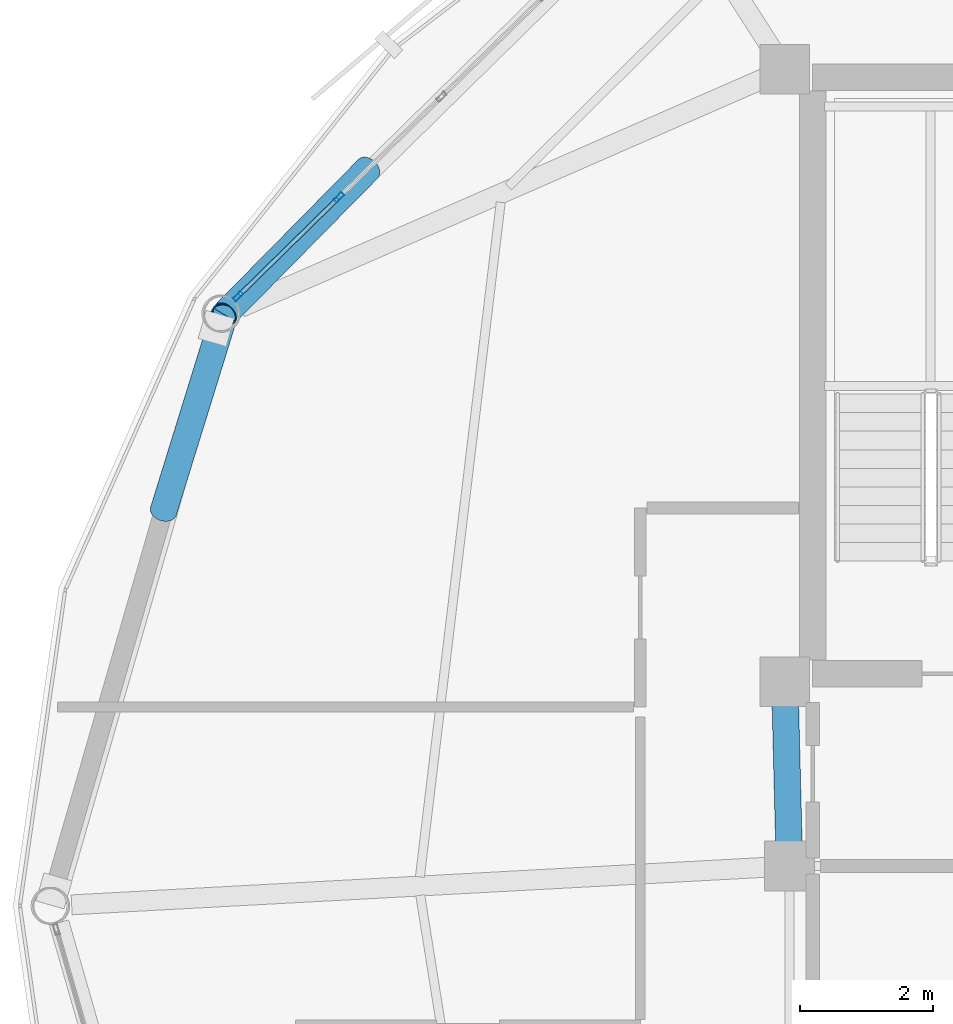
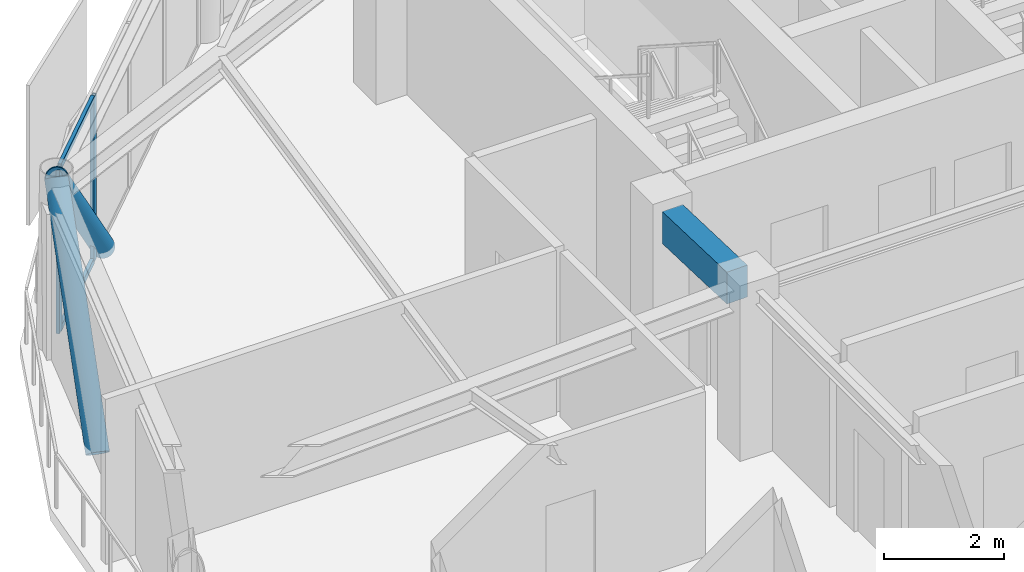
# One storey, part 12 of 26: 6 members, 1 beam, 1 element without a shape of its own.
"""IFC4 building model written with IfcOpenShell, lengths in metres."""

from ifc_helpers import new_model, si_unit, direction, frame, origin, origin_2d, place, context, subcontext, project, spatial, rectangle, hollow_rectangle, hollow_circle, extrude, material, layer, layer_set, material_profile, profile_set, type_object, element, aggregate, save


model = new_model("IFC4")

# Units and contexts
model_context = context("Model", 3, precision=1e-05, world=origin(), true_north=direction((0.0, 1.0)))
body_context = subcontext(model_context, "Body", "Model", "MODEL_VIEW")
ifc_project = project(units=[si_unit("LENGTHUNIT", "METRE"), si_unit("AREAUNIT", "SQUARE_METRE"), si_unit("VOLUMEUNIT", "CUBIC_METRE"), si_unit("PLANEANGLEUNIT", "RADIAN"), si_unit("MASSUNIT", "GRAM", prefix="KILO")], contexts=[model_context])

# Site, building, storey
site_placement = place(None, origin())
site = spatial("IfcSite", under=ifc_project, at=site_placement, CompositionType="ELEMENT")
building_placement = place(site_placement, origin())
building = spatial("IfcBuilding", under=site, at=building_placement, Name="Varnakorn Sky Granary", CompositionType="ELEMENT")
storey_placement = place(building_placement, frame((0.0, 0.0, 256.199951171875)))
storey = spatial("IfcBuildingStorey", under=building, at=storey_placement, Name="L65", CompositionType="ELEMENT", Elevation=256.199951171875)

# Beam
ifc_material_1 = material(Name="Concrete C50/60", Category="concrete")
ifc_material_profile_1 = material_profile(ifc_material_1, rectangle(XDim=0.39990234375, YDim=0.64990234375, at=origin_2d()), Name="RC 400x650")
ifc_profile_set_1 = profile_set([ifc_material_profile_1], Name="Concrete C50/60")
beam_type = type_object("IfcBeamType", Name="BM-LIN-650", PredefinedType="LINTEL", material=ifc_profile_set_1)
beam_placement = place(storey_placement, frame((-2.4111328125, 3.025146484375, 3.03515625), z_axis=(0.025227817192, -0.999681727971, 0.0), x_axis=(0.999681727971, 0.025227817192, 0.0)))
element("IfcBeam", 1, at=beam_placement, inside=storey, type_object=beam_type, Name="Core Spine Framing Beam 1 L65", PredefinedType="LINTEL", context=body_context, shape_type="SweptSolid", body=[
    extrude(rectangle(XDim=0.39990234375, YDim=0.64990234375, at=origin_2d()), origin(), (0.0, 0.0, 1.0), 2.071044921875),
])

# Curtain wall, members
ifc_material_2 = material(Name="Anodised Bronze Aluminium Alloy 6063-T6", Category="aluminium")
ifc_layer = layer(ifc_material_2, 0.159912109375, Name="Anodised Bronze Aluminium Alloy 6063-T6")
ifc_layer_set = layer_set([ifc_layer], Name="Anodised Bronze Aluminium Alloy 6063-T6")
curtain_wall_type = type_object("IfcCurtainWallType", Name="CW-OFF-1", PredefinedType="USERDEFINED", material=ifc_layer_set)
curtain_wall_placement = place(storey_placement, origin())
curtain_wall = element("IfcCurtainWall", 2, at=curtain_wall_placement, inside=storey, type_object=curtain_wall_type, Name="Unitised Curtain Wall CW6 CW-L65-B05", ObjectType="CURTAIN WALL", PredefinedType="USERDEFINED")
ifc_material_profile_2 = material_profile(ifc_material_2, hollow_rectangle(XDim=0.06494140625, YDim=0.159912109375, WallThickness=0.00341796875, at=origin_2d()), Name="ALU MULL 65x160")
ifc_profile_set_2 = profile_set([ifc_material_profile_2], Name="Anodised Bronze Aluminium Alloy 6063-T6")
member_type_1 = type_object("IfcMemberType", Name="CW-OFF-1-MULL", PredefinedType="MULLION", material=ifc_profile_set_2)
member_1_placement = place(storey_placement, frame((-10.667724609375, 9.195556640625, 0.0), z_axis=(0.0, 0.0, 1.0), x_axis=(-0.700118147913, 0.71402701557, 0.0)))
member_1 = element("IfcMember", 3, at=member_1_placement, type_object=member_type_1, Name="CW6 mullion 1", PredefinedType="MULLION", context=body_context, shape_type="SweptSolid", body=[
    extrude(hollow_rectangle(XDim=0.06494140625, YDim=0.159912109375, WallThickness=0.00341796875, at=origin_2d()), origin(), (0.0, 0.0, 1.0), 3.360107421875),
])
member_2_placement = place(storey_placement, frame((-9.144287109375, 10.68896484375, 0.0), z_axis=(0.0, 0.0, 1.0), x_axis=(-0.700118147913, 0.71402701557, 0.0)))
member_2 = element("IfcMember", 4, at=member_2_placement, type_object=member_type_1, Name="CW6 mullion 2", PredefinedType="MULLION", context=body_context, shape_type="SweptSolid", body=[
    extrude(hollow_rectangle(XDim=0.06494140625, YDim=0.159912109375, WallThickness=0.00341796875, at=origin_2d()), origin(), (0.0, 0.0, 1.0), 3.360107421875),
])
ifc_material_profile_3 = material_profile(ifc_material_2, hollow_rectangle(XDim=0.06494140625, YDim=0.1201171875, WallThickness=0.00341796875, at=origin_2d()), Name="ALU TRAN 65x120")
ifc_profile_set_3 = profile_set([ifc_material_profile_3], Name="Anodised Bronze Aluminium Alloy 6063-T6")
member_type_2 = type_object("IfcMemberType", Name="CW-OFF-1-TRAN", PredefinedType="USERDEFINED", material=ifc_profile_set_3)
member_3_placement = place(storey_placement, frame((-10.64453125, 9.21826171875, 0.032470703125), z_axis=(0.714036969685, 0.7001079959, 0.0), x_axis=(-0.7001079959, 0.714036969685, 0.0)))
member_3 = element("IfcMember", 5, at=member_3_placement, type_object=member_type_2, Name="CW6 transom 1.1", ObjectType="TRANSOM", PredefinedType="USERDEFINED", context=body_context, shape_type="SweptSolid", body=[
    extrude(hollow_rectangle(XDim=0.06494140625, YDim=0.1201171875, WallThickness=0.00341796875, at=origin_2d()), origin(), (0.0, 0.0, 1.0), 2.068359375),
])
member_4_placement = place(storey_placement, frame((-10.64453125, 9.21826171875, 3.32763671875), z_axis=(0.714036969685, 0.7001079959, 0.0), x_axis=(-0.7001079959, 0.714036969685, 0.0)))
member_4 = element("IfcMember", 6, at=member_4_placement, type_object=member_type_2, Name="CW6 transom 1.2", ObjectType="TRANSOM", PredefinedType="USERDEFINED", context=body_context, shape_type="SweptSolid", body=[
    extrude(hollow_rectangle(XDim=0.06494140625, YDim=0.1201171875, WallThickness=0.00341796875, at=origin_2d()), origin(), (0.0, 0.0, 1.0), 2.068359375),
])
aggregate(curtain_wall, [member_1, member_2, member_3, member_4])

# Members
ifc_material_3 = material(Name="Steel S460M", Category="steel")
ifc_material_profile_4 = material_profile(ifc_material_3, hollow_circle(Radius=0.203125, WallThickness=0.01611328125, at=origin_2d()), Name="CHS 406.4x16")
ifc_profile_set_4 = profile_set([ifc_material_profile_4], Name="Steel S460M")
member_type_3 = type_object("IfcMemberType", Name="MB-DIAG-T4", PredefinedType="BRACE", material=ifc_profile_set_4)
member_5_placement = place(storey_placement, frame((-8.709716796875, 11.115234375, -0.1298828125), z_axis=(-0.464775779747, -0.471747154361, 0.749291730177), x_axis=(0.712350671031, -0.701823711114, 0.0)))
element("IfcMember", 7, at=member_5_placement, inside=storey, type_object=member_type_3, Name="Perimeter CHS Diagrid Brace DG05 L65", PredefinedType="BRACE", context=body_context, shape_type="SweptSolid", body=[
    extrude(hollow_circle(Radius=0.203125, WallThickness=0.01611328125, at=origin_2d()), origin(), (0.0, 0.0, 1.0), 4.65771484375),
])
member_6_placement = place(storey_placement, frame((-11.792236328125, 5.956787109375, -0.1298828125), z_axis=(0.196596291847, 0.634348609687, 0.747630750719), x_axis=(-0.955179373427, 0.296027641579, 0.0)))
element("IfcMember", 8, at=member_6_placement, inside=storey, type_object=member_type_3, Name="Perimeter CHS Diagrid Brace DG06 L65", PredefinedType="BRACE", context=body_context, shape_type="SweptSolid", body=[
    extrude(hollow_circle(Radius=0.203125, WallThickness=0.01611328125, at=origin_2d()), origin(), (0.0, 0.0, 1.0), 4.66796875),
])

save(model, "model.ifc")
